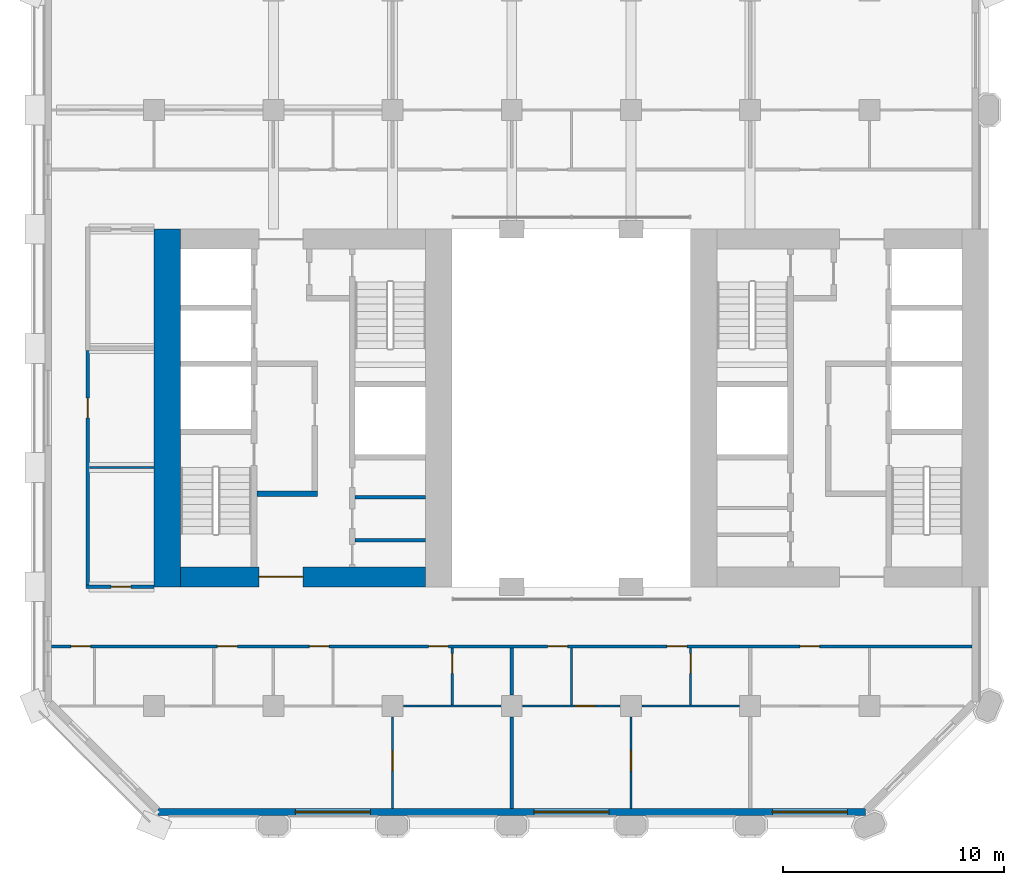
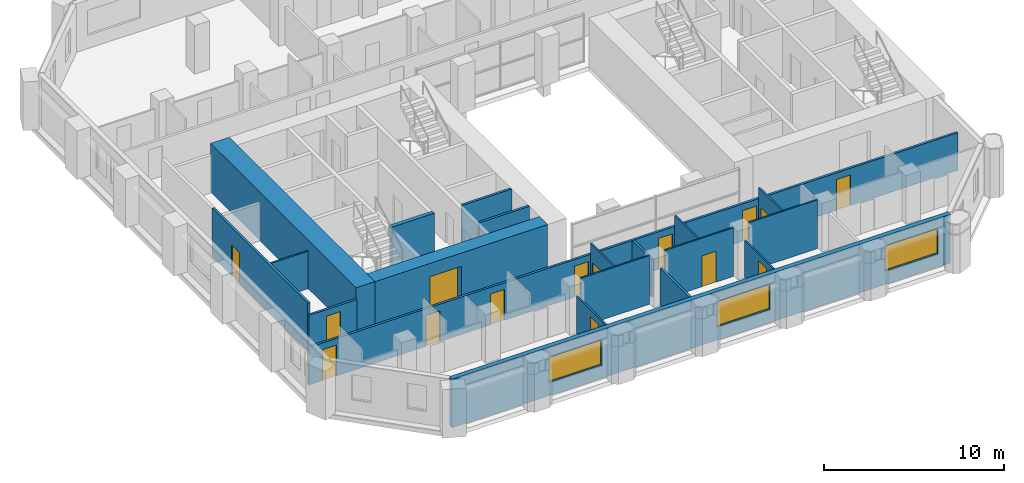
# One storey, part 6 of 13: 20 walls, 15 doors, 3 windows, 18 openings.
"""IFC4 building model written with IfcOpenShell, lengths in metres."""

from ifc_helpers import new_model, si_unit, direction, frame, frame_2d, origin, place, context, subcontext, project, spatial, rectangle, extrude, material, layer, layer_set, type_object, element, fill, save


model = new_model("IFC4")

# Units and contexts
model_context = context("Model", 3, precision=1e-05, world=origin(), true_north=direction((0.0, 1.0)))
body_context = subcontext(model_context, "Body", "Model", "MODEL_VIEW")
ifc_project = project(units=[si_unit("LENGTHUNIT", "METRE"), si_unit("AREAUNIT", "SQUARE_METRE"), si_unit("VOLUMEUNIT", "CUBIC_METRE"), si_unit("PLANEANGLEUNIT", "RADIAN"), si_unit("MASSUNIT", "GRAM", prefix="KILO")], contexts=[model_context])

# Site, building, storey
site_placement = place(None, origin())
site = spatial("IfcSite", under=ifc_project, at=site_placement, CompositionType="ELEMENT")
building_placement = place(site_placement, origin())
building = spatial("IfcBuilding", under=site, at=building_placement, Name="Tabaq Tower and Sports Hall", CompositionType="ELEMENT")
storey_placement = place(building_placement, frame((0.0, 0.0, 122.0)))
storey = spatial("IfcBuildingStorey", under=building, at=storey_placement, Name="L29", CompositionType="ELEMENT", Elevation=122.0)

# Walls
ifc_material_1 = material(Name="Blockwork", Category="masonry")
ifc_layer_1 = layer(ifc_material_1, 0.14990234375)
ifc_layer_set_1 = layer_set([ifc_layer_1], Name="Core room partition 150 Blockwork")
wall_type_1 = type_object("IfcWallType", Name="Core room partition 150 Blockwork", PredefinedType="PARTITIONING", material=ifc_layer_set_1)
for number, where, z_axis, x_axis, name in (
    (1, (14.5, 18.31201171875, 0.0), (0.0, 0.0, 1.0), (1.0, 0.0, 0.0), "Core room partition W L29"),
    (2, (14.5, 20.251953125, 0.0), (0.0, 0.0, 1.0), (1.0, 0.0, 0.0), "Core room partition W L29"),
):
    element("IfcWall", number, at=place(storey_placement, frame(where, z_axis=z_axis, x_axis=x_axis)), inside=storey, type_object=wall_type_1, Name=name, PredefinedType="PARTITIONING", context=body_context, shape_type="SweptSolid", body=[
        extrude(rectangle(XDim=3.199951171875, YDim=0.14990234375, at=frame_2d((1.60009765625, 0.0))), origin(), (0.0, 0.0, 1.0), 3.300048828125),
    ])
ifc_material_2 = material(Name="Concrete C60/75", Category="concrete")
ifc_layer_2 = layer(ifc_material_2, 1.199951171875)
ifc_layer_set_2 = layer_set([ifc_layer_2], Name="Core wall 1200 Concrete C60/75")
wall_type_2 = type_object("IfcWallType", Name="Core wall 1200 Concrete C60/75", PredefinedType="SOLIDWALL", material=ifc_layer_set_2)
wall_1_placement = place(storey_placement, frame((6.0, 16.199951171875, 0.0), z_axis=(0.0, 0.0, 1.0), x_axis=(0.0, 1.0, 0.0)))
element("IfcWall", 3, at=wall_1_placement, inside=storey, type_object=wall_type_2, Name="Core wall W L29", PredefinedType="SOLIDWALL", context=body_context, shape_type="SweptSolid", body=[
    extrude(rectangle(XDim=16.199951171875, YDim=1.199951171875, at=frame_2d((8.10009765625, 0.0))), origin(), (0.0, 0.0, 1.0), 3.300048828125),
])

# Wall, opening, door
ifc_material_3 = material(Name="Concrete C60/75", Category="concrete")
ifc_layer_3 = layer(ifc_material_3, 0.89990234375)
ifc_layer_set_3 = layer_set([ifc_layer_3], Name="Core wall 900 Concrete C60/75")
wall_type_3 = type_object("IfcWallType", Name="Core wall 900 Concrete C60/75", PredefinedType="SOLIDWALL", material=ifc_layer_set_3)
wall_2_placement = place(storey_placement, frame((17.699951171875, 16.64990234375, 0.0), z_axis=(0.0, 0.0, 1.0), x_axis=(-1.0, 0.0, 0.0)))
wall_2 = element("IfcWall", 4, at=wall_2_placement, inside=storey, type_object=wall_type_3, Name="Core wall W L29", PredefinedType="SOLIDWALL", context=body_context, shape_type="SweptSolid", body=[
    extrude(rectangle(XDim=11.099853515625, YDim=0.89990234375, at=frame_2d((5.5498046875, 0.0))), origin(), (0.0, 0.0, 1.0), 3.300048828125),
])
opening_1_placement = place(wall_2_placement, frame((5.550048828125, 0.0, 0.0)))
opening_1 = element("IfcOpeningElement", 5, at=opening_1_placement, cuts=wall_2, Name="Opening PD-WL29-01", PredefinedType="OPENING", context=body_context, shape_type="SweptSolid", body=[
    extrude(rectangle(XDim=2.0, YDim=2.39990234375, at=frame_2d((1.0, 1.199951171875))), frame((0.0, 0.449951171875, 0.0), z_axis=(0.0, -1.0, 0.0), x_axis=(1.0, 0.0, 0.0)), (0.0, 0.0, 1.0), 0.89990234375),
])
ifc_material_4 = material(Name="Steel fire door", Category="steel")
door_type_1 = type_object("IfcDoorType", Name="Core entrance door 2000", OperationType="DOUBLE_DOOR_SINGLE_SWING", PredefinedType="DOOR", material=ifc_material_4)
door_1_placement = place(opening_1_placement, origin())
door_1 = element("IfcDoor", 6, at=door_1_placement, inside=storey, type_object=door_type_1, Name="Core entrance south W L29", OperationType="DOUBLE_DOOR_SINGLE_SWING", OverallHeight=2.39990234375, OverallWidth=2.0, PredefinedType="DOOR", context=body_context, shape_type="SweptSolid", body=[
    extrude(rectangle(XDim=2.0, YDim=2.39990234375, at=frame_2d((1.0, 1.199951171875))), frame((0.0, 0.02490234375, 0.0), z_axis=(0.0, -1.0, 0.0), x_axis=(1.0, 0.0, 0.0)), (0.0, 0.0, 1.0), 0.050048828125),
])
fill(opening_1, door_1)

ifc_material_5 = material(Name="Gypsum board on steel studs", Category="steel")
ifc_layer_4 = layer(ifc_material_5, 0.10009765625)
ifc_layer_set_4 = layer_set([ifc_layer_4], Name="Partition 100 Gypsum board")
wall_type_4 = type_object("IfcWallType", Name="Partition 100 Gypsum board", PredefinedType="PARTITIONING", material=ifc_layer_set_4)
wall_3_placement = place(storey_placement, frame((18.89990234375, 10.85009765625, 0.0), z_axis=(0.0, 0.0, 1.0), x_axis=(0.0, 1.0, 0.0)))
wall_3 = element("IfcWall", 7, at=wall_3_placement, inside=storey, type_object=wall_type_4, Name="Partition wall L29", PredefinedType="PARTITIONING", context=body_context, shape_type="SweptSolid", body=[
    extrude(rectangle(XDim=2.574951171875, YDim=0.10009765625, at=frame_2d((1.28759765625, 0.0))), origin(), (0.0, 0.0, 1.0), 3.300048828125),
])
opening_2_placement = place(wall_3_placement, frame((1.425048828125, 0.0, 0.0)))
opening_2 = element("IfcOpeningElement", 8, at=opening_2_placement, cuts=wall_3, Name="Opening L29-019", PredefinedType="OPENING", context=body_context, shape_type="SweptSolid", body=[
    extrude(rectangle(XDim=0.89990234375, YDim=2.10009765625, at=frame_2d((0.449951171875, 1.050048828125))), frame((0.0, 0.050048828125, 0.0), z_axis=(0.0, -1.0, 0.0), x_axis=(1.0, 0.0, 0.0)), (0.0, 0.0, 1.0), 0.10009765625),
])
ifc_material_6 = material(Name="Timber leaf in steel frame", Category="steel")
door_type_2 = type_object("IfcDoorType", Name="Internal door 900 left hand", OperationType="SINGLE_SWING_LEFT", PredefinedType="DOOR", material=ifc_material_6)
door_2_placement = place(opening_2_placement, origin())
door_2 = element("IfcDoor", 9, at=door_2_placement, inside=storey, type_object=door_type_2, Name="Internal door L29-019", OperationType="SINGLE_SWING_LEFT", OverallHeight=2.10009765625, OverallWidth=0.89990234375, PredefinedType="DOOR", context=body_context, shape_type="SweptSolid", body=[
    extrude(rectangle(XDim=0.89990234375, YDim=2.10009765625, at=frame_2d((0.449951171875, 1.050048828125))), frame((0.0, 0.02490234375, 0.0), z_axis=(0.0, -1.0, 0.0), x_axis=(1.0, 0.0, 0.0)), (0.0, 0.0, 1.0), 0.050048828125),
])
fill(opening_2, door_2)

# Wall
wall_4_placement = place(storey_placement, frame((16.695068359375, 10.800048828125, 0.0), z_axis=(0.0, 0.0, 1.0), x_axis=(1.0, 0.0, 0.0)))
element("IfcWall", 10, at=wall_4_placement, inside=storey, type_object=wall_type_4, Name="Partition wall L29", PredefinedType="PARTITIONING", context=body_context, shape_type="SweptSolid", body=[
    extrude(rectangle(XDim=4.409912109375, YDim=0.10009765625, at=frame_2d((2.205078125, 0.0))), origin(), (0.0, 0.0, 1.0), 3.300048828125),
])

# Wall, opening, door
wall_5_placement = place(storey_placement, frame((16.199951171875, 6.15087890625, 0.0), z_axis=(0.0, 0.0, 1.0), x_axis=(0.0, 1.0, 0.0)))
wall_5 = element("IfcWall", 11, at=wall_5_placement, inside=storey, type_object=wall_type_4, Name="Partition wall L29", PredefinedType="PARTITIONING", context=body_context, shape_type="SweptSolid", body=[
    extrude(rectangle(XDim=4.154052734375, YDim=0.10009765625, at=frame_2d((2.0771484375, 0.0))), origin(), (0.0, 0.0, 1.0), 2.550048828125),
])
opening_3_placement = place(wall_5_placement, frame((1.72412109375, 0.0, 0.0)))
opening_3 = element("IfcOpeningElement", 12, at=opening_3_placement, cuts=wall_5, Name="Opening L29-020", PredefinedType="OPENING", context=body_context, shape_type="SweptSolid", body=[
    extrude(rectangle(XDim=0.89990234375, YDim=2.10009765625, at=frame_2d((0.449951171875, 1.050048828125))), frame((0.0, 0.050048828125, 0.0), z_axis=(0.0, -1.0, 0.0), x_axis=(1.0, 0.0, 0.0)), (0.0, 0.0, 1.0), 0.10009765625),
])
ifc_material_7 = material(Name="Timber leaf in steel frame", Category="steel")
door_type_3 = type_object("IfcDoorType", Name="Internal door 900 right hand", OperationType="SINGLE_SWING_RIGHT", PredefinedType="DOOR", material=ifc_material_7)
door_3_placement = place(opening_3_placement, origin())
door_3 = element("IfcDoor", 13, at=door_3_placement, inside=storey, type_object=door_type_3, Name="Internal door L29-020", OperationType="SINGLE_SWING_RIGHT", OverallHeight=2.10009765625, OverallWidth=0.89990234375, PredefinedType="DOOR", context=body_context, shape_type="SweptSolid", body=[
    extrude(rectangle(XDim=0.89990234375, YDim=2.10009765625, at=frame_2d((0.449951171875, 1.050048828125))), frame((0.0, 0.02490234375, 0.0), z_axis=(0.0, -1.0, 0.0), x_axis=(1.0, 0.0, 0.0)), (0.0, 0.0, 1.0), 0.050048828125),
])
fill(opening_3, door_3)

# Wall
wall_6_placement = place(storey_placement, frame((24.300048828125, 10.85009765625, 0.0), z_axis=(0.0, 0.0, 1.0), x_axis=(0.0, 1.0, 0.0)))
element("IfcWall", 14, at=wall_6_placement, inside=storey, type_object=wall_type_4, Name="Partition wall L29", PredefinedType="PARTITIONING", context=body_context, shape_type="SweptSolid", body=[
    extrude(rectangle(XDim=2.574951171875, YDim=0.10009765625, at=frame_2d((1.28759765625, 0.0))), origin(), (0.0, 0.0, 1.0), 3.300048828125),
])

# Wall, opening, door
wall_7_placement = place(storey_placement, frame((22.094970703125, 10.800048828125, 0.0), z_axis=(0.0, 0.0, 1.0), x_axis=(1.0, 0.0, 0.0)))
wall_7 = element("IfcWall", 15, at=wall_7_placement, inside=storey, type_object=wall_type_4, Name="Partition wall L29", PredefinedType="PARTITIONING", context=body_context, shape_type="SweptSolid", body=[
    extrude(rectangle(XDim=4.409912109375, YDim=0.10009765625, at=frame_2d((2.205078125, 0.0))), origin(), (0.0, 0.0, 1.0), 3.300048828125),
])
opening_4_placement = place(wall_7_placement, frame((2.375, 0.0, 0.0)))
opening_4 = element("IfcOpeningElement", 16, at=opening_4_placement, cuts=wall_7, Name="Opening L29-031", PredefinedType="OPENING", context=body_context, shape_type="SweptSolid", body=[
    extrude(rectangle(XDim=0.89990234375, YDim=2.10009765625, at=frame_2d((0.449951171875, 1.050048828125))), frame((0.0, 0.050048828125, 0.0), z_axis=(0.0, -1.0, 0.0), x_axis=(1.0, 0.0, 0.0)), (0.0, 0.0, 1.0), 0.10009765625),
])
door_4_placement = place(opening_4_placement, origin())
door_4 = element("IfcDoor", 17, at=door_4_placement, inside=storey, type_object=door_type_2, Name="Internal door L29-031", OperationType="SINGLE_SWING_LEFT", OverallHeight=2.10009765625, OverallWidth=0.89990234375, PredefinedType="DOOR", context=body_context, shape_type="SweptSolid", body=[
    extrude(rectangle(XDim=0.89990234375, YDim=2.10009765625, at=frame_2d((0.449951171875, 1.050048828125))), frame((0.0, 0.02490234375, 0.0), z_axis=(0.0, -1.0, 0.0), x_axis=(1.0, 0.0, 0.0)), (0.0, 0.0, 1.0), 0.050048828125),
])
fill(opening_4, door_4)

wall_8_placement = place(storey_placement, frame((29.699951171875, 10.85009765625, 0.0), z_axis=(0.0, 0.0, 1.0), x_axis=(0.0, 1.0, 0.0)))
wall_8 = element("IfcWall", 18, at=wall_8_placement, inside=storey, type_object=wall_type_4, Name="Partition wall L29", PredefinedType="PARTITIONING", context=body_context, shape_type="SweptSolid", body=[
    extrude(rectangle(XDim=2.574951171875, YDim=0.10009765625, at=frame_2d((1.28759765625, 0.0))), origin(), (0.0, 0.0, 1.0), 3.300048828125),
])
opening_5_placement = place(wall_8_placement, frame((1.425048828125, 0.0, 0.0)))
opening_5 = element("IfcOpeningElement", 19, at=opening_5_placement, cuts=wall_8, Name="Opening L29-021", PredefinedType="OPENING", context=body_context, shape_type="SweptSolid", body=[
    extrude(rectangle(XDim=0.89990234375, YDim=2.10009765625, at=frame_2d((0.449951171875, 1.050048828125))), frame((0.0, 0.050048828125, 0.0), z_axis=(0.0, -1.0, 0.0), x_axis=(1.0, 0.0, 0.0)), (0.0, 0.0, 1.0), 0.10009765625),
])
door_5_placement = place(opening_5_placement, origin())
door_5 = element("IfcDoor", 20, at=door_5_placement, inside=storey, type_object=door_type_3, Name="Internal door L29-021", OperationType="SINGLE_SWING_RIGHT", OverallHeight=2.10009765625, OverallWidth=0.89990234375, PredefinedType="DOOR", context=body_context, shape_type="SweptSolid", body=[
    extrude(rectangle(XDim=0.89990234375, YDim=2.10009765625, at=frame_2d((0.449951171875, 1.050048828125))), frame((0.0, 0.02490234375, 0.0), z_axis=(0.0, -1.0, 0.0), x_axis=(1.0, 0.0, 0.0)), (0.0, 0.0, 1.0), 0.050048828125),
])
fill(opening_5, door_5)

# Wall
wall_9_placement = place(storey_placement, frame((27.4951171875, 10.800048828125, 0.0), z_axis=(0.0, 0.0, 1.0), x_axis=(1.0, 0.0, 0.0)))
element("IfcWall", 21, at=wall_9_placement, inside=storey, type_object=wall_type_4, Name="Partition wall L29", PredefinedType="PARTITIONING", context=body_context, shape_type="SweptSolid", body=[
    extrude(rectangle(XDim=4.409912109375, YDim=0.10009765625, at=frame_2d((2.205078125, 0.0))), origin(), (0.0, 0.0, 1.0), 3.300048828125),
])

# Wall, opening, door
wall_10_placement = place(storey_placement, frame((27.0, 6.15087890625, 0.0), z_axis=(0.0, 0.0, 1.0), x_axis=(0.0, 1.0, 0.0)))
wall_10 = element("IfcWall", 22, at=wall_10_placement, inside=storey, type_object=wall_type_4, Name="Partition wall L29", PredefinedType="PARTITIONING", context=body_context, shape_type="SweptSolid", body=[
    extrude(rectangle(XDim=4.154052734375, YDim=0.10009765625, at=frame_2d((2.0771484375, 0.0))), origin(), (0.0, 0.0, 1.0), 2.550048828125),
])
opening_6_placement = place(wall_10_placement, frame((1.72412109375, 0.0, 0.0)))
opening_6 = element("IfcOpeningElement", 23, at=opening_6_placement, cuts=wall_10, Name="Opening L29-022", PredefinedType="OPENING", context=body_context, shape_type="SweptSolid", body=[
    extrude(rectangle(XDim=0.89990234375, YDim=2.10009765625, at=frame_2d((0.449951171875, 1.050048828125))), frame((0.0, 0.050048828125, 0.0), z_axis=(0.0, -1.0, 0.0), x_axis=(1.0, 0.0, 0.0)), (0.0, 0.0, 1.0), 0.10009765625),
])
door_6_placement = place(opening_6_placement, origin())
door_6 = element("IfcDoor", 24, at=door_6_placement, inside=storey, type_object=door_type_3, Name="Internal door L29-022", OperationType="SINGLE_SWING_RIGHT", OverallHeight=2.10009765625, OverallWidth=0.89990234375, PredefinedType="DOOR", context=body_context, shape_type="SweptSolid", body=[
    extrude(rectangle(XDim=0.89990234375, YDim=2.10009765625, at=frame_2d((0.449951171875, 1.050048828125))), frame((0.0, 0.02490234375, 0.0), z_axis=(0.0, -1.0, 0.0), x_axis=(1.0, 0.0, 0.0)), (0.0, 0.0, 1.0), 0.050048828125),
])
fill(opening_6, door_6)

# Wall
wall_11_placement = place(storey_placement, frame((5.39990234375, 21.60009765625, 0.0), z_axis=(0.0, 0.0, 1.0), x_axis=(-1.0, 0.0, 0.0)))
element("IfcWall", 25, at=wall_11_placement, inside=storey, type_object=wall_type_4, Name="Partition wall L29", PredefinedType="PARTITIONING", context=body_context, shape_type="SweptSolid", body=[
    extrude(rectangle(XDim=2.9248046875, YDim=0.10009765625, at=frame_2d((1.46240234375, 0.0))), origin(), (0.0, 0.0, 1.0), 2.550048828125),
])

# Wall, opening, door
ifc_material_8 = material(Name="Blockwork", Category="masonry")
ifc_layer_5 = layer(ifc_material_8, 0.14990234375)
ifc_layer_set_5 = layer_set([ifc_layer_5], Name="Separating wall 150 Blockwork")
wall_type_5 = type_object("IfcWallType", Name="Separating wall 150 Blockwork", PredefinedType="PARTITIONING", material=ifc_layer_set_5)
wall_12_placement = place(storey_placement, frame((5.39990234375, 16.199951171875, 0.0), z_axis=(0.0, 0.0, 1.0), x_axis=(-1.0, 0.0, 0.0)))
wall_12 = element("IfcWall", 26, at=wall_12_placement, inside=storey, type_object=wall_type_5, Name="Separating wall L29", PredefinedType="PARTITIONING", context=body_context, shape_type="SweptSolid", body=[
    extrude(rectangle(XDim=3.074951171875, YDim=0.14990234375, at=frame_2d((1.53759765625, 0.0))), origin(), (0.0, 0.0, 1.0), 2.550048828125),
])
opening_7_placement = place(wall_12_placement, frame((1.050048828125, 0.0, 0.0)))
opening_7 = element("IfcOpeningElement", 27, at=opening_7_placement, cuts=wall_12, Name="Opening L29-008", PredefinedType="OPENING", context=body_context, shape_type="SweptSolid", body=[
    extrude(rectangle(XDim=0.89990234375, YDim=2.10009765625, at=frame_2d((0.449951171875, 1.050048828125))), frame((0.0, 0.074951171875, 0.0), z_axis=(0.0, -1.0, 0.0), x_axis=(1.0, 0.0, 0.0)), (0.0, 0.0, 1.0), 0.14990234375),
])
door_7_placement = place(opening_7_placement, origin())
door_7 = element("IfcDoor", 28, at=door_7_placement, inside=storey, type_object=door_type_2, Name="Internal door L29-008", OperationType="SINGLE_SWING_LEFT", OverallHeight=2.10009765625, OverallWidth=0.89990234375, PredefinedType="DOOR", context=body_context, shape_type="SweptSolid", body=[
    extrude(rectangle(XDim=0.89990234375, YDim=2.10009765625, at=frame_2d((0.449951171875, 1.050048828125))), frame((0.0, 0.02490234375, 0.0), z_axis=(0.0, -1.0, 0.0), x_axis=(1.0, 0.0, 0.0)), (0.0, 0.0, 1.0), 0.050048828125),
])
fill(opening_7, door_7)

wall_13_placement = place(storey_placement, frame((2.39990234375, 16.27490234375, 0.0), z_axis=(0.0, 0.0, 1.0), x_axis=(0.0, 1.0, 0.0)))
wall_13 = element("IfcWall", 29, at=wall_13_placement, inside=storey, type_object=wall_type_5, Name="Separating wall L29", PredefinedType="PARTITIONING", context=body_context, shape_type="SweptSolid", body=[
    extrude(rectangle(XDim=10.625, YDim=0.14990234375, at=frame_2d((5.3125, 0.0))), origin(), (0.0, 0.0, 1.0), 3.300048828125),
])
opening_8_placement = place(wall_13_placement, frame((7.574951171875, 0.0, 0.0)))
opening_8 = element("IfcOpeningElement", 30, at=opening_8_placement, cuts=wall_13, Name="Opening L29-009", PredefinedType="OPENING", context=body_context, shape_type="SweptSolid", body=[
    extrude(rectangle(XDim=0.89990234375, YDim=2.10009765625, at=frame_2d((0.449951171875, 1.050048828125))), frame((0.0, 0.074951171875, 0.0), z_axis=(0.0, -1.0, 0.0), x_axis=(1.0, 0.0, 0.0)), (0.0, 0.0, 1.0), 0.14990234375),
])
door_8_placement = place(opening_8_placement, origin())
door_8 = element("IfcDoor", 31, at=door_8_placement, inside=storey, type_object=door_type_2, Name="Internal door L29-009", OperationType="SINGLE_SWING_LEFT", OverallHeight=2.10009765625, OverallWidth=0.89990234375, PredefinedType="DOOR", context=body_context, shape_type="SweptSolid", body=[
    extrude(rectangle(XDim=0.89990234375, YDim=2.10009765625, at=frame_2d((0.449951171875, 1.050048828125))), frame((0.0, 0.02490234375, 0.0), z_axis=(0.0, -1.0, 0.0), x_axis=(1.0, 0.0, 0.0)), (0.0, 0.0, 1.0), 0.050048828125),
])
fill(opening_8, door_8)

# Wall, openings, doors
wall_14_placement = place(storey_placement, frame((0.7509765625, 13.5, 0.0), z_axis=(0.0, 0.0, 1.0), x_axis=(1.0, 0.0, 0.0)))
wall_14 = element("IfcWall", 32, at=wall_14_placement, inside=storey, type_object=wall_type_5, Name="Separating wall L29", PredefinedType="PARTITIONING", context=body_context, shape_type="SweptSolid", body=[
    extrude(rectangle(XDim=41.697998046875, YDim=0.14990234375, at=frame_2d((20.84912109375, 0.0))), origin(), (0.0, 0.0, 1.0), 2.550048828125),
])
opening_9_placement = place(wall_14_placement, frame((0.87890625, 0.0, 0.0)))
opening_9 = element("IfcOpeningElement", 33, at=opening_9_placement, cuts=wall_14, Name="Opening L29-004", PredefinedType="OPENING", context=body_context, shape_type="SweptSolid", body=[
    extrude(rectangle(XDim=0.89990234375, YDim=2.10009765625, at=frame_2d((0.449951171875, 1.050048828125))), frame((0.0, 0.074951171875, 0.0), z_axis=(0.0, -1.0, 0.0), x_axis=(1.0, 0.0, 0.0)), (0.0, 0.0, 1.0), 0.14990234375),
])
opening_10_placement = place(wall_14_placement, frame((7.51904296875, 0.0, 0.0)))
opening_10 = element("IfcOpeningElement", 34, at=opening_10_placement, cuts=wall_14, Name="Opening L29-005", PredefinedType="OPENING", context=body_context, shape_type="SweptSolid", body=[
    extrude(rectangle(XDim=0.89990234375, YDim=2.10009765625, at=frame_2d((0.449951171875, 1.050048828125))), frame((0.0, 0.074951171875, 0.0), z_axis=(0.0, -1.0, 0.0), x_axis=(1.0, 0.0, 0.0)), (0.0, 0.0, 1.0), 0.14990234375),
])
opening_11_placement = place(wall_14_placement, frame((11.678955078125, 0.0, 0.0)))
opening_11 = element("IfcOpeningElement", 35, at=opening_11_placement, cuts=wall_14, Name="Opening L29-006", PredefinedType="OPENING", context=body_context, shape_type="SweptSolid", body=[
    extrude(rectangle(XDim=0.89990234375, YDim=2.10009765625, at=frame_2d((0.449951171875, 1.050048828125))), frame((0.0, 0.074951171875, 0.0), z_axis=(0.0, -1.0, 0.0), x_axis=(1.0, 0.0, 0.0)), (0.0, 0.0, 1.0), 0.14990234375),
])
opening_12_placement = place(wall_14_placement, frame((22.47900390625, 0.0, 0.0)))
opening_12 = element("IfcOpeningElement", 36, at=opening_12_placement, cuts=wall_14, Name="Opening L29-007", PredefinedType="OPENING", context=body_context, shape_type="SweptSolid", body=[
    extrude(rectangle(XDim=0.89990234375, YDim=2.10009765625, at=frame_2d((0.449951171875, 1.050048828125))), frame((0.0, 0.074951171875, 0.0), z_axis=(0.0, -1.0, 0.0), x_axis=(1.0, 0.0, 0.0)), (0.0, 0.0, 1.0), 0.14990234375),
])
opening_13_placement = place(wall_14_placement, frame((33.89892578125, 0.0, 0.0)))
opening_13 = element("IfcOpeningElement", 37, at=opening_13_placement, cuts=wall_14, Name="Opening L29-027", PredefinedType="OPENING", context=body_context, shape_type="SweptSolid", body=[
    extrude(rectangle(XDim=0.89990234375, YDim=2.10009765625, at=frame_2d((0.449951171875, 1.050048828125))), frame((0.0, 0.074951171875, 0.0), z_axis=(0.0, -1.0, 0.0), x_axis=(1.0, 0.0, 0.0)), (0.0, 0.0, 1.0), 0.14990234375),
])
opening_14_placement = place(wall_14_placement, frame((17.0791015625, 0.0, 0.0)))
opening_14 = element("IfcOpeningElement", 38, at=opening_14_placement, cuts=wall_14, Name="Opening L29-033", PredefinedType="OPENING", context=body_context, shape_type="SweptSolid", body=[
    extrude(rectangle(XDim=0.89990234375, YDim=2.10009765625, at=frame_2d((0.449951171875, 1.050048828125))), frame((0.0, 0.074951171875, 0.0), z_axis=(0.0, -1.0, 0.0), x_axis=(1.0, 0.0, 0.0)), (0.0, 0.0, 1.0), 0.14990234375),
])
opening_15_placement = place(wall_14_placement, frame((27.87890625, 0.0, 0.0)))
opening_15 = element("IfcOpeningElement", 39, at=opening_15_placement, cuts=wall_14, Name="Opening L29-034", PredefinedType="OPENING", context=body_context, shape_type="SweptSolid", body=[
    extrude(rectangle(XDim=0.89990234375, YDim=2.10009765625, at=frame_2d((0.449951171875, 1.050048828125))), frame((0.0, 0.074951171875, 0.0), z_axis=(0.0, -1.0, 0.0), x_axis=(1.0, 0.0, 0.0)), (0.0, 0.0, 1.0), 0.14990234375),
])
ifc_material_9 = material(Name="Steel fire door", Category="steel")
door_type_4 = type_object("IfcDoorType", Name="Entrance door 900 left hand", OperationType="SINGLE_SWING_LEFT", PredefinedType="DOOR", material=ifc_material_9)
door_9_placement = place(opening_14_placement, origin())
door_9 = element("IfcDoor", 40, at=door_9_placement, inside=storey, type_object=door_type_4, Name="Entrance door L29-033", OperationType="SINGLE_SWING_LEFT", OverallHeight=2.10009765625, OverallWidth=0.89990234375, PredefinedType="DOOR", context=body_context, shape_type="SweptSolid", body=[
    extrude(rectangle(XDim=0.89990234375, YDim=2.10009765625, at=frame_2d((0.449951171875, 1.050048828125))), frame((0.0, 0.02490234375, 0.0), z_axis=(0.0, -1.0, 0.0), x_axis=(1.0, 0.0, 0.0)), (0.0, 0.0, 1.0), 0.050048828125),
])
fill(opening_14, door_9)
ifc_material_10 = material(Name="Steel fire door", Category="steel")
door_type_5 = type_object("IfcDoorType", Name="Entrance door 900 right hand", OperationType="SINGLE_SWING_RIGHT", PredefinedType="DOOR", material=ifc_material_10)
door_10_placement = place(opening_9_placement, origin())
door_10 = element("IfcDoor", 41, at=door_10_placement, inside=storey, type_object=door_type_5, Name="Entrance door L29-004", OperationType="SINGLE_SWING_RIGHT", OverallHeight=2.10009765625, OverallWidth=0.89990234375, PredefinedType="DOOR", context=body_context, shape_type="SweptSolid", body=[
    extrude(rectangle(XDim=0.89990234375, YDim=2.10009765625, at=frame_2d((0.449951171875, 1.050048828125))), frame((0.0, 0.02490234375, 0.0), z_axis=(0.0, -1.0, 0.0), x_axis=(1.0, 0.0, 0.0)), (0.0, 0.0, 1.0), 0.050048828125),
])
fill(opening_9, door_10)
door_11_placement = place(opening_10_placement, origin())
door_11 = element("IfcDoor", 42, at=door_11_placement, inside=storey, type_object=door_type_5, Name="Entrance door L29-005", OperationType="SINGLE_SWING_RIGHT", OverallHeight=2.10009765625, OverallWidth=0.89990234375, PredefinedType="DOOR", context=body_context, shape_type="SweptSolid", body=[
    extrude(rectangle(XDim=0.89990234375, YDim=2.10009765625, at=frame_2d((0.449951171875, 1.050048828125))), frame((0.0, 0.02490234375, 0.0), z_axis=(0.0, -1.0, 0.0), x_axis=(1.0, 0.0, 0.0)), (0.0, 0.0, 1.0), 0.050048828125),
])
fill(opening_10, door_11)
door_12_placement = place(opening_11_placement, origin())
door_12 = element("IfcDoor", 43, at=door_12_placement, inside=storey, type_object=door_type_5, Name="Entrance door L29-006", OperationType="SINGLE_SWING_RIGHT", OverallHeight=2.10009765625, OverallWidth=0.89990234375, PredefinedType="DOOR", context=body_context, shape_type="SweptSolid", body=[
    extrude(rectangle(XDim=0.89990234375, YDim=2.10009765625, at=frame_2d((0.449951171875, 1.050048828125))), frame((0.0, 0.02490234375, 0.0), z_axis=(0.0, -1.0, 0.0), x_axis=(1.0, 0.0, 0.0)), (0.0, 0.0, 1.0), 0.050048828125),
])
fill(opening_11, door_12)
door_13_placement = place(opening_12_placement, origin())
door_13 = element("IfcDoor", 44, at=door_13_placement, inside=storey, type_object=door_type_5, Name="Entrance door L29-007", OperationType="SINGLE_SWING_RIGHT", OverallHeight=2.10009765625, OverallWidth=0.89990234375, PredefinedType="DOOR", context=body_context, shape_type="SweptSolid", body=[
    extrude(rectangle(XDim=0.89990234375, YDim=2.10009765625, at=frame_2d((0.449951171875, 1.050048828125))), frame((0.0, 0.02490234375, 0.0), z_axis=(0.0, -1.0, 0.0), x_axis=(1.0, 0.0, 0.0)), (0.0, 0.0, 1.0), 0.050048828125),
])
fill(opening_12, door_13)
door_14_placement = place(opening_13_placement, origin())
door_14 = element("IfcDoor", 45, at=door_14_placement, inside=storey, type_object=door_type_5, Name="Entrance door L29-027", OperationType="SINGLE_SWING_RIGHT", OverallHeight=2.10009765625, OverallWidth=0.89990234375, PredefinedType="DOOR", context=body_context, shape_type="SweptSolid", body=[
    extrude(rectangle(XDim=0.89990234375, YDim=2.10009765625, at=frame_2d((0.449951171875, 1.050048828125))), frame((0.0, 0.02490234375, 0.0), z_axis=(0.0, -1.0, 0.0), x_axis=(1.0, 0.0, 0.0)), (0.0, 0.0, 1.0), 0.050048828125),
])
fill(opening_13, door_14)
door_15_placement = place(opening_15_placement, origin())
door_15 = element("IfcDoor", 46, at=door_15_placement, inside=storey, type_object=door_type_5, Name="Entrance door L29-034", OperationType="SINGLE_SWING_RIGHT", OverallHeight=2.10009765625, OverallWidth=0.89990234375, PredefinedType="DOOR", context=body_context, shape_type="SweptSolid", body=[
    extrude(rectangle(XDim=0.89990234375, YDim=2.10009765625, at=frame_2d((0.449951171875, 1.050048828125))), frame((0.0, 0.02490234375, 0.0), z_axis=(0.0, -1.0, 0.0), x_axis=(1.0, 0.0, 0.0)), (0.0, 0.0, 1.0), 0.050048828125),
])
fill(opening_15, door_15)

# Walls
wall_15_placement = place(storey_placement, frame((21.60009765625, 11.294921875, 0.0), z_axis=(0.0, 0.0, 1.0), x_axis=(0.0, 1.0, 0.0)))
element("IfcWall", 47, at=wall_15_placement, inside=storey, type_object=wall_type_5, Name="Separating wall L29", PredefinedType="PARTITIONING", context=body_context, shape_type="SweptSolid", body=[
    extrude(rectangle(XDim=2.130126953125, YDim=0.14990234375, at=frame_2d((1.06494140625, 0.0))), origin(), (0.0, 0.0, 1.0), 2.550048828125),
])
wall_16_placement = place(storey_placement, frame((21.60009765625, 6.15087890625, 0.0), z_axis=(0.0, 0.0, 1.0), x_axis=(0.0, 1.0, 0.0)))
element("IfcWall", 48, at=wall_16_placement, inside=storey, type_object=wall_type_5, Name="Separating wall L29", PredefinedType="PARTITIONING", context=body_context, shape_type="SweptSolid", body=[
    extrude(rectangle(XDim=4.154052734375, YDim=0.14990234375, at=frame_2d((2.0771484375, 0.0))), origin(), (0.0, 0.0, 1.0), 2.550048828125),
])
ifc_material_11 = material(Name="Concrete C40/50", Category="concrete")
ifc_layer_6 = layer(ifc_material_11, 0.25)
ifc_layer_set_6 = layer_set([ifc_layer_6], Name="Shaft and stair wall 250 Concrete C40/50")
wall_type_6 = type_object("IfcWallType", Name="Shaft and stair wall 250 Concrete C40/50", PredefinedType="SOLIDWALL", material=ifc_layer_set_6)
wall_17_placement = place(storey_placement, frame((10.050048828125, 20.425048828125, 0.0), z_axis=(0.0, 0.0, 1.0), x_axis=(1.0, 0.0, 0.0)))
element("IfcWall", 49, at=wall_17_placement, inside=storey, type_object=wall_type_6, Name="Fire-fighting lobby wall W L29", PredefinedType="SOLIDWALL", context=body_context, shape_type="SweptSolid", body=[
    extrude(rectangle(XDim=2.75, YDim=0.25, at=frame_2d((1.375, 0.0))), origin(), (0.0, 0.0, 1.0), 3.300048828125),
])

# Wall, openings, windows
ifc_material_12 = material(Name="White precast concrete C60/75", Category="concrete")
ifc_layer_7 = layer(ifc_material_12, 0.300048828125)
ifc_layer_set_7 = layer_set([ifc_layer_7], Name="White precast concrete C60/75 external wall 300")
wall_type_7 = type_object("IfcWallType", Name="White precast concrete C60/75 external wall 300", PredefinedType="SOLIDWALL", material=ifc_layer_set_7)
wall_18_placement = place(storey_placement, frame((5.58642578125, 6.0, 0.0), z_axis=(0.0, 0.0, 1.0), x_axis=(1.0, 0.0, 0.0)))
wall_18 = element("IfcWall", 50, at=wall_18_placement, inside=storey, type_object=wall_type_7, Name="External Wall L29 S", PredefinedType="SOLIDWALL", context=body_context, shape_type="SweptSolid", body=[
    extrude(rectangle(XDim=32.027099609375, YDim=0.300048828125, at=frame_2d((16.013671875, 0.0))), origin(), (0.0, 0.0, 1.0), 3.300048828125),
])
opening_16_placement = place(wall_18_placement, frame((6.213623046875, 0.0, 0.89990234375)))
opening_16 = element("IfcOpeningElement", 51, at=opening_16_placement, cuts=wall_18, Name="Opening W1A", PredefinedType="OPENING", context=body_context, shape_type="SweptSolid", body=[
    extrude(rectangle(XDim=3.39990234375, YDim=1.699951171875, at=frame_2d((1.699951171875, 0.85009765625))), frame((0.0, 0.16015625, 0.0), z_axis=(0.0, -1.0, 0.0), x_axis=(1.0, 0.0, 0.0)), (0.0, 0.0, 1.0), 0.320068359375),
])
opening_17_placement = place(wall_18_placement, frame((17.013671875, 0.0, 0.89990234375)))
opening_17 = element("IfcOpeningElement", 52, at=opening_17_placement, cuts=wall_18, Name="Opening W1A", PredefinedType="OPENING", context=body_context, shape_type="SweptSolid", body=[
    extrude(rectangle(XDim=3.39990234375, YDim=1.699951171875, at=frame_2d((1.699951171875, 0.85009765625))), frame((0.0, 0.16015625, 0.0), z_axis=(0.0, -1.0, 0.0), x_axis=(1.0, 0.0, 0.0)), (0.0, 0.0, 1.0), 0.320068359375),
])
opening_18_placement = place(wall_18_placement, frame((27.813720703125, 0.0, 0.89990234375)))
opening_18 = element("IfcOpeningElement", 53, at=opening_18_placement, cuts=wall_18, Name="Opening W1A", PredefinedType="OPENING", context=body_context, shape_type="SweptSolid", body=[
    extrude(rectangle(XDim=3.39990234375, YDim=1.699951171875, at=frame_2d((1.699951171875, 0.85009765625))), frame((0.0, 0.16015625, 0.0), z_axis=(0.0, -1.0, 0.0), x_axis=(1.0, 0.0, 0.0)), (0.0, 0.0, 1.0), 0.320068359375),
])
ifc_material_13 = material(Name="Aluminium framed clear glazing", Category="aluminium")
window_type = type_object("IfcWindowType", Name="Window W1A", PartitioningType="SINGLE_PANEL", PredefinedType="WINDOW", material=ifc_material_13)
window_1_placement = place(opening_16_placement, origin())
window_1 = element("IfcWindow", 54, at=window_1_placement, inside=storey, type_object=window_type, Name="Window W1A L29", OverallHeight=1.699951171875, OverallWidth=3.39990234375, PartitioningType="SINGLE_PANEL", PredefinedType="WINDOW", context=body_context, shape_type="SweptSolid", body=[
    extrude(rectangle(XDim=3.39990234375, YDim=1.699951171875, at=frame_2d((1.699951171875, 0.85009765625))), frame((0.0, 0.030029296875, 0.0), z_axis=(0.0, -1.0, 0.0), x_axis=(1.0, 0.0, 0.0)), (0.0, 0.0, 1.0), 0.06005859375),
])
fill(opening_16, window_1)
window_2_placement = place(opening_17_placement, origin())
window_2 = element("IfcWindow", 55, at=window_2_placement, inside=storey, type_object=window_type, Name="Window W1A L29", OverallHeight=1.699951171875, OverallWidth=3.39990234375, PartitioningType="SINGLE_PANEL", PredefinedType="WINDOW", context=body_context, shape_type="SweptSolid", body=[
    extrude(rectangle(XDim=3.39990234375, YDim=1.699951171875, at=frame_2d((1.699951171875, 0.85009765625))), frame((0.0, 0.030029296875, 0.0), z_axis=(0.0, -1.0, 0.0), x_axis=(1.0, 0.0, 0.0)), (0.0, 0.0, 1.0), 0.06005859375),
])
fill(opening_17, window_2)
window_3_placement = place(opening_18_placement, origin())
window_3 = element("IfcWindow", 56, at=window_3_placement, inside=storey, type_object=window_type, Name="Window W1A L29", OverallHeight=1.699951171875, OverallWidth=3.39990234375, PartitioningType="SINGLE_PANEL", PredefinedType="WINDOW", context=body_context, shape_type="SweptSolid", body=[
    extrude(rectangle(XDim=3.39990234375, YDim=1.699951171875, at=frame_2d((1.699951171875, 0.85009765625))), frame((0.0, 0.030029296875, 0.0), z_axis=(0.0, -1.0, 0.0), x_axis=(1.0, 0.0, 0.0)), (0.0, 0.0, 1.0), 0.06005859375),
])
fill(opening_18, window_3)

save(model, "model.ifc")
